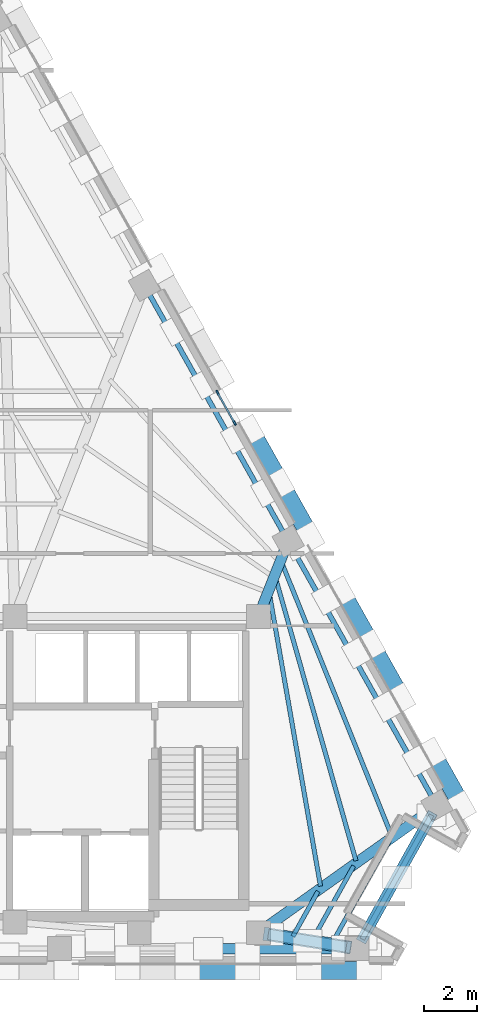
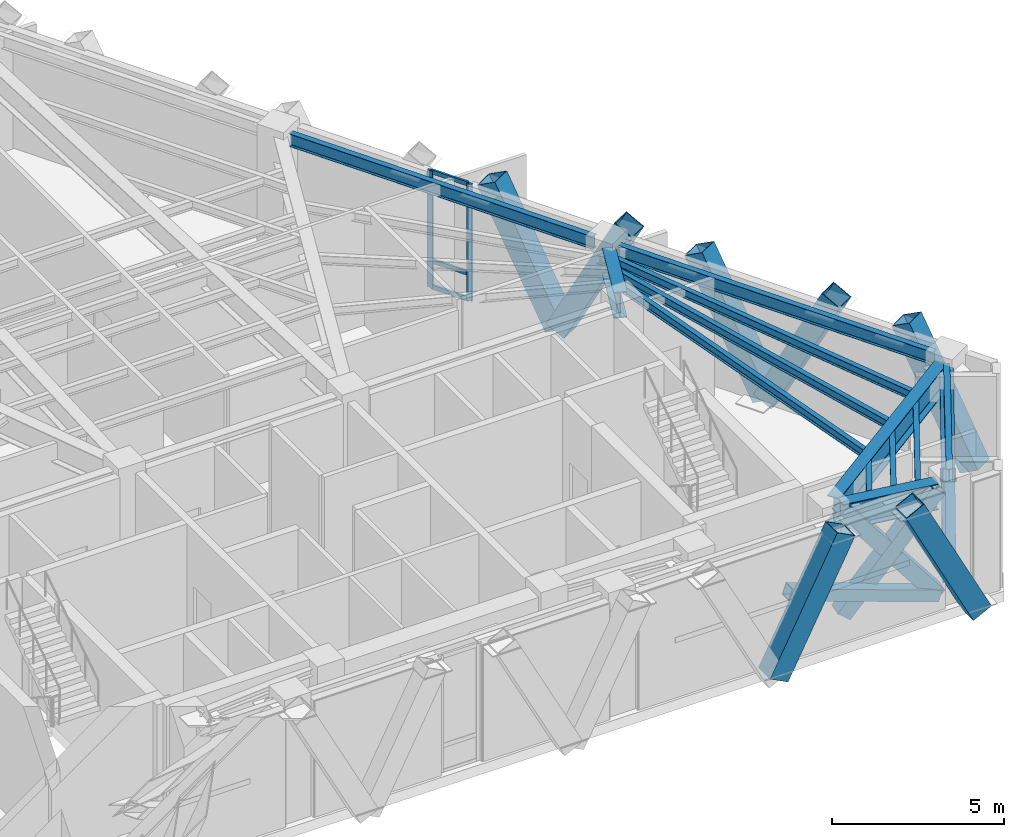
# One storey, part 4 of 11: 19 members, 12 beams, 1 element without a shape of its own.
"""IFC4 building model written with IfcOpenShell, lengths in metres."""

from ifc_helpers import new_model, si_unit, direction, frame, origin, origin_2d, place, context, subcontext, project, spatial, rectangle, hollow_rectangle, i_section, extrude, material, material_profile, profile_set, type_object, element, aggregate, save


model = new_model("IFC4")

# Units and contexts
model_context = context("Model", 3, precision=1e-05, world=origin(), true_north=direction((0.0, 1.0)))
body_context = subcontext(model_context, "Body", "Model", "MODEL_VIEW")
ifc_project = project(units=[si_unit("LENGTHUNIT", "METRE"), si_unit("AREAUNIT", "SQUARE_METRE"), si_unit("VOLUMEUNIT", "CUBIC_METRE"), si_unit("PLANEANGLEUNIT", "RADIAN"), si_unit("MASSUNIT", "GRAM", prefix="KILO")], contexts=[model_context])

# Site, building, storey
site_placement = place(None, origin())
site = spatial("IfcSite", under=ifc_project, at=site_placement, CompositionType="ELEMENT")
building_placement = place(site_placement, origin())
building = spatial("IfcBuilding", under=site, at=building_placement, Name="Quenlor Broadcast Tower", CompositionType="ELEMENT")
storey_placement = place(building_placement, frame((0.0, 0.0, 179.0)))
storey = spatial("IfcBuildingStorey", under=building, at=storey_placement, Name="L49", CompositionType="ELEMENT", Elevation=179.0)

# Members
ifc_material_1 = material(Name="Steel S355", Category="steel")
ifc_material_profile_1 = material_profile(ifc_material_1, hollow_rectangle(XDim=0.39990234375, YDim=0.39990234375, WallThickness=0.02197265625, at=origin_2d()))
ifc_profile_set_1 = profile_set([ifc_material_profile_1], Name="Steel S355 RHS400x400x22")
member_type_1 = type_object("IfcMemberType", Name="Belt Truss Diagonal Chord Steel S355 RHS400x22", PredefinedType="CHORD", material=ifc_profile_set_1)
member_1_placement = place(storey_placement, frame((11.235595703125, -17.35009765625, 2.000732421875), z_axis=(0.941276009802, 0.0, -0.33763808045), x_axis=(0.0, 1.0, 0.0)))
element("IfcMember", 1, at=member_1_placement, inside=storey, type_object=member_type_1, Name="L49 Belt Truss Split Chord 3B2", PredefinedType="CHORD", context=body_context, shape_type="SweptSolid", body=[
    extrude(hollow_rectangle(XDim=0.39990234375, YDim=0.39990234375, WallThickness=0.02197265625, at=origin_2d()), origin(), (0.0, 0.0, 1.0), 5.33349609375),
])
member_2_placement = place(storey_placement, frame((16.880615234375, -16.9833984375, 0.199951171875), z_axis=(0.400114582644, 0.716390289205, 0.571570882995), x_axis=(-0.873058236645, 0.48761595075, 0.0)))
element("IfcMember", 2, at=member_2_placement, inside=storey, type_object=member_type_1, Name="L49 Belt Truss Continuous Chord 4A", PredefinedType="CHORD", context=body_context, shape_type="SweptSolid", body=[
    extrude(hollow_rectangle(XDim=0.39990234375, YDim=0.39990234375, WallThickness=0.02197265625, at=origin_2d()), origin(), (0.0, 0.0, 1.0), 6.52587890625),
])
for number, where, z_axis, x_axis, name in (
    (3, (16.880615234375, -16.9833984375, 3.929931640625), (0.40010966598, 0.716399693832, -0.571562537144), (-0.873063512561, 0.487606504298, 0.0), "L49 Belt Truss Split Chord 4B1"),
    (4, (18.26220703125, -14.509765625, 1.956298828125), (0.40010966598, 0.716399693832, -0.571562537144), (-0.873063512561, 0.487606504298, 0.0), "L49 Belt Truss Split Chord 4B2"),
):
    element("IfcMember", number, at=place(storey_placement, frame(where, z_axis=z_axis, x_axis=x_axis)), inside=storey, type_object=member_type_1, Name=name, PredefinedType="CHORD", context=body_context, shape_type="SweptSolid", body=[
        extrude(hollow_rectangle(XDim=0.39990234375, YDim=0.39990234375, WallThickness=0.02197265625, at=origin_2d()), origin(), (0.0, 0.0, 1.0), 3.072998046875),
    ])

# Curtain wall, members
ifc_material_2 = material(Name="Architectural Terracotta and Low-E Glazing", Category="masonry")
curtain_wall_type = type_object("IfcCurtainWallType", Name="Unitised Terracotta Curtain Wall System Z4", PredefinedType="NOTDEFINED", material=ifc_material_2)
curtain_wall_placement = place(storey_placement, origin())
curtain_wall = element("IfcCurtainWall", 5, at=curtain_wall_placement, inside=storey, type_object=curtain_wall_type, Name="L49 Curtain Wall CW4 (L49-NE-G1)", PredefinedType="NOTDEFINED")
ifc_material_3 = material(Name="Aluminium 6063-T6", Category="aluminium")
ifc_material_profile_2 = material_profile(ifc_material_3, rectangle(XDim=0.068115234375, YDim=0.179931640625, at=origin_2d()))
ifc_profile_set_2 = profile_set([ifc_material_profile_2], Name="Aluminium 6063-T6 MULL68x180")
member_type_2 = type_object("IfcMemberType", Name="CW4 Aluminium Mullion MULL_CW4", PredefinedType="MULLION", material=ifc_profile_set_2)
member_3_placement = place(storey_placement, frame((11.405029296875, 3.66552734375, 0.0), z_axis=(0.0, 0.0, 1.0), x_axis=(0.871571692934, 0.490268073687, 0.0)))
member_3 = element("IfcMember", 6, at=member_3_placement, type_object=member_type_2, Name="CW4 mullion 1", PredefinedType="MULLION", context=body_context, shape_type="SweptSolid", body=[
    extrude(rectangle(XDim=0.068115234375, YDim=0.179931640625, at=origin_2d()), origin(), (0.0, 0.0, 1.0), 4.14990234375),
])
member_4_placement = place(storey_placement, frame((12.052734375, 2.513916015625, 0.0), z_axis=(0.0, 0.0, 1.0), x_axis=(0.871571692934, 0.490268073687, 0.0)))
member_4 = element("IfcMember", 7, at=member_4_placement, type_object=member_type_2, Name="CW4 mullion 2", PredefinedType="MULLION", context=body_context, shape_type="SweptSolid", body=[
    extrude(rectangle(XDim=0.068115234375, YDim=0.179931640625, at=origin_2d()), origin(), (0.0, 0.0, 1.0), 4.14990234375),
])
ifc_material_4 = material(Name="Aluminium 6063-T6", Category="aluminium")
ifc_material_profile_3 = material_profile(ifc_material_4, rectangle(XDim=0.068115234375, YDim=0.14990234375, at=origin_2d()))
ifc_profile_set_3 = profile_set([ifc_material_profile_3], Name="Aluminium 6063-T6 TRAN68x150")
member_type_3 = type_object("IfcMemberType", Name="CW4 Aluminium Transom TRAN_CW4", PredefinedType="USERDEFINED", material=ifc_profile_set_3)
member_5_placement = place(storey_placement, frame((11.421630859375, 3.635986328125, 0.033935546875), z_axis=(0.49023349781, -0.871591141319, 0.0), x_axis=(0.871591141319, 0.49023349781, 0.0)))
member_5 = element("IfcMember", 8, at=member_5_placement, type_object=member_type_3, Name="CW4 transom 1.1", ObjectType="TRANSOM", PredefinedType="USERDEFINED", context=body_context, shape_type="SweptSolid", body=[
    extrude(rectangle(XDim=0.068115234375, YDim=0.14990234375, at=origin_2d()), origin(), (0.0, 0.0, 1.0), 1.25341796875),
])
member_6_placement = place(storey_placement, frame((11.421630859375, 3.635986328125, 0.949951171875), z_axis=(0.49023349781, -0.871591141319, 0.0), x_axis=(0.871591141319, 0.49023349781, 0.0)))
member_6 = element("IfcMember", 9, at=member_6_placement, type_object=member_type_3, Name="CW4 transom 1.2", ObjectType="TRANSOM", PredefinedType="USERDEFINED", context=body_context, shape_type="SweptSolid", body=[
    extrude(rectangle(XDim=0.068115234375, YDim=0.14990234375, at=origin_2d()), origin(), (0.0, 0.0, 1.0), 1.25341796875),
])
member_7_placement = place(storey_placement, frame((11.421630859375, 3.635986328125, 4.115966796875), z_axis=(0.49023349781, -0.871591141319, 0.0), x_axis=(0.871591141319, 0.49023349781, 0.0)))
member_7 = element("IfcMember", 10, at=member_7_placement, type_object=member_type_3, Name="CW4 transom 1.3", ObjectType="TRANSOM", PredefinedType="USERDEFINED", context=body_context, shape_type="SweptSolid", body=[
    extrude(rectangle(XDim=0.068115234375, YDim=0.14990234375, at=origin_2d()), origin(), (0.0, 0.0, 1.0), 1.25341796875),
])
aggregate(curtain_wall, [member_3, member_4, member_5, member_6, member_7])

# Beams
ifc_material_5 = material(Name="Steel S355", Category="steel")
ifc_material_profile_4 = material_profile(ifc_material_5, i_section(OverallWidth=0.39990234375, OverallDepth=0.924072265625, WebThickness=0.01611328125, FlangeThickness=0.028076171875, FilletRadius=0.01611328125, at=origin_2d()))
ifc_profile_set_4 = profile_set([ifc_material_profile_4], Name="Steel S355 900WB282")
beam_type_1 = type_object("IfcBeamType", Name="Outrigger Level Collector Girder Steel S355 900WB282", PredefinedType="BEAM", material=ifc_profile_set_4)
beam_1_placement = place(storey_placement, frame((16.27099609375, -17.284912109375, 3.68798828125), z_axis=(-0.987268490875, 0.159062650942, 0.0), x_axis=(-0.159062650942, -0.987268490875, 0.0)))
element("IfcBeam", 11, at=beam_1_placement, inside=storey, type_object=beam_type_1, Name="L49 Primary Radial Beam S4", PredefinedType="BEAM", context=body_context, shape_type="SweptSolid", body=[
    extrude(i_section(OverallWidth=0.39990234375, OverallDepth=0.924072265625, WebThickness=0.01611328125, FlangeThickness=0.028076171875, FilletRadius=0.01611328125, at=origin_2d()), origin(), (0.0, 0.0, 1.0), 2.98388671875),
])
beam_2_placement = place(storey_placement, frame((19.362548828125, -12.1796875, 3.68798828125), z_axis=(-0.814329531787, -0.580402802938, 0.0), x_axis=(0.580402802938, -0.814329531787, 0.0)))
element("IfcBeam", 12, at=beam_2_placement, inside=storey, type_object=beam_type_1, Name="L49 Primary Radial Beam NE1", PredefinedType="BEAM", context=body_context, shape_type="SweptSolid", body=[
    extrude(i_section(OverallWidth=0.39990234375, OverallDepth=0.924072265625, WebThickness=0.01611328125, FlangeThickness=0.028076171875, FilletRadius=0.01611328125, at=origin_2d()), origin(), (0.0, 0.0, 1.0), 7.49462890625),
])
beam_3_placement = place(storey_placement, frame((13.926513671875, -2.33349609375, 3.68798828125), z_axis=(-0.368110359783, -0.92978210513, 0.0), x_axis=(0.92978210513, -0.368110359783, 0.0)))
element("IfcBeam", 13, at=beam_3_placement, inside=storey, type_object=beam_type_1, Name="L49 Primary Radial Beam NE2", PredefinedType="BEAM", context=body_context, shape_type="SweptSolid", body=[
    extrude(i_section(OverallWidth=0.39990234375, OverallDepth=0.924072265625, WebThickness=0.01611328125, FlangeThickness=0.028076171875, FilletRadius=0.01611328125, at=origin_2d()), origin(), (0.0, 0.0, 1.0), 2.27294921875),
])

# Members
ifc_material_6 = material(Name="Steel S355", Category="steel")
ifc_material_profile_5 = material_profile(ifc_material_6, hollow_rectangle(XDim=0.679931640625, YDim=0.679931640625, WallThickness=0.02490234375, at=origin_2d()))
ifc_profile_set_5 = profile_set([ifc_material_profile_5], Name="Steel S355 RHS680x680x25")
member_type_4 = type_object("IfcMemberType", Name="Perimeter Diagonal Lattice Brace Z3-Z4 Steel S355 RHS680x25", PredefinedType="BRACE", material=ifc_profile_set_5)
for number, where, z_axis, x_axis, name in (
    (14, (17.1123046875, -18.169921875, -0.1201171875), (-0.456255502185, 0.0, 0.889848816781), (0.0, -1.0, 0.0), "L49 Perimeter Diamond Lattice S-C1S"),
    (15, (10.289306640625, -18.169921875, -0.1201171875), (0.456255502185, 0.0, 0.889848816781), (0.0, 1.0, 0.0), "L49 Perimeter Diamond Lattice S-C1B"),
):
    element("IfcMember", number, at=place(storey_placement, frame(where, z_axis=z_axis, x_axis=x_axis)), inside=storey, type_object=member_type_4, Name=name, PredefinedType="BRACE", context=body_context, shape_type="SweptSolid", body=[
        extrude(hollow_rectangle(XDim=0.679931640625, YDim=0.679931640625, WallThickness=0.02490234375, at=origin_2d()), origin(), (0.0, 0.0, 1.0), 4.94482421875),
    ])
for number, where, z_axis, x_axis, name in (
    (16, (13.781005859375, 0.24755859375, -0.1201171875), (-0.227397757303, 0.404213523195, 0.885946774722), (-0.871550060774, -0.49030652817, 0.0), "L49 Perimeter Diamond Lattice NE-C3B"),
    (17, (13.794677734375, 0.22314453125, -0.1201171875), (0.227346624293, -0.404259165014, 0.885939072355), (0.871620820774, 0.490180726664, 0.0), "L49 Perimeter Diamond Lattice NE-C4S"),
    (18, (17.2099609375, -5.8486328125, -0.1201171875), (-0.227397757303, 0.404213523195, 0.885946774722), (-0.871550060774, -0.49030652817, 0.0), "L49 Perimeter Diamond Lattice NE-C4B"),
):
    element("IfcMember", number, at=place(storey_placement, frame(where, z_axis=z_axis, x_axis=x_axis)), inside=storey, type_object=member_type_4, Name=name, PredefinedType="BRACE", context=body_context, shape_type="SweptSolid", body=[
        extrude(hollow_rectangle(XDim=0.679931640625, YDim=0.679931640625, WallThickness=0.02490234375, at=origin_2d()), origin(), (0.0, 0.0, 1.0), 4.966552734375),
    ])
member_8_placement = place(storey_placement, frame((17.2236328125, -5.873046875, -0.1201171875), z_axis=(0.227393238836, -0.40425464682, 0.885929170677), x_axis=(0.871575537125, 0.490261239633, 0.0)))
element("IfcMember", 19, at=member_8_placement, inside=storey, type_object=member_type_4, Name="L49 Perimeter Diamond Lattice NE-C5S", PredefinedType="BRACE", context=body_context, shape_type="SweptSolid", body=[
    extrude(hollow_rectangle(XDim=0.679931640625, YDim=0.679931640625, WallThickness=0.02490234375, at=origin_2d()), origin(), (0.0, 0.0, 1.0), 4.966796875),
])
member_9_placement = place(storey_placement, frame((20.63916015625, -11.94482421875, -0.1201171875), z_axis=(-0.227397757303, 0.404213523195, 0.885946774722), x_axis=(-0.871550060774, -0.49030652817, 0.0)))
element("IfcMember", 20, at=member_9_placement, inside=storey, type_object=member_type_4, Name="L49 Perimeter Diamond Lattice NE-C5B", PredefinedType="BRACE", context=body_context, shape_type="SweptSolid", body=[
    extrude(hollow_rectangle(XDim=0.679931640625, YDim=0.679931640625, WallThickness=0.02490234375, at=origin_2d()), origin(), (0.0, 0.0, 1.0), 4.966552734375),
])

# Beams
ifc_material_7 = material(Name="Steel S355", Category="steel")
ifc_material_profile_6 = material_profile(ifc_material_7, i_section(OverallWidth=0.18994140625, OverallDepth=0.453857421875, WebThickness=0.008544921875, FlangeThickness=0.0126953125, FilletRadius=0.011474609375, at=origin_2d()))
ifc_profile_set_6 = profile_set([ifc_material_profile_6], Name="Steel S355 460UB67.1")
beam_type_2 = type_object("IfcBeamType", Name="Perimeter Spandrel Beam Z4 Steel S355 460UB67.1", PredefinedType="SPANDREL", material=ifc_profile_set_6)
beam_4_placement = place(storey_placement, frame((16.875732421875, -16.991943359375, 3.923095703125), z_axis=(0.487647250206, 0.8730407547, 0.0), x_axis=(-0.8730407547, 0.487647250206, 0.0)))
element("IfcBeam", 21, at=beam_4_placement, inside=storey, type_object=beam_type_2, Name="L49 Spandrel Beam S4-NE1", PredefinedType="SPANDREL", context=body_context, shape_type="SweptSolid", body=[
    extrude(i_section(OverallWidth=0.18994140625, OverallDepth=0.453857421875, WebThickness=0.008544921875, FlangeThickness=0.0126953125, FilletRadius=0.011474609375, at=origin_2d()), origin(), (0.0, 0.0, 1.0), 5.37451171875),
])
beam_5_placement = place(storey_placement, frame((19.49560546875, -11.58447265625, 3.923095703125), z_axis=(-0.490272131974, 0.871569410093, 0.0), x_axis=(-0.871569410093, -0.490272131974, 0.0)))
element("IfcBeam", 22, at=beam_5_placement, inside=storey, type_object=beam_type_2, Name="L49 Spandrel Beam NE1-NE2", PredefinedType="SPANDREL", context=body_context, shape_type="SweptSolid", body=[
    extrude(i_section(OverallWidth=0.18994140625, OverallDepth=0.453857421875, WebThickness=0.008544921875, FlangeThickness=0.0126953125, FilletRadius=0.011474609375, at=origin_2d()), origin(), (0.0, 0.0, 1.0), 10.6416015625),
])
beam_6_placement = place(storey_placement, frame((13.87646484375, -1.594970703125, 3.923095703125), z_axis=(-0.490263496537, 0.871574267612, 0.0), x_axis=(-0.871574267612, -0.490263496537, 0.0)))
element("IfcBeam", 23, at=beam_6_placement, inside=storey, type_object=beam_type_2, Name="L49 Spandrel Beam NE2-NE3", PredefinedType="SPANDREL", context=body_context, shape_type="SweptSolid", body=[
    extrude(i_section(OverallWidth=0.18994140625, OverallDepth=0.453857421875, WebThickness=0.008544921875, FlangeThickness=0.0126953125, FilletRadius=0.011474609375, at=origin_2d()), origin(), (0.0, 0.0, 1.0), 10.271728515625),
])
ifc_material_8 = material(Name="Steel S355", Category="steel")
ifc_material_profile_7 = material_profile(ifc_material_8, i_section(OverallWidth=0.166015625, OverallDepth=0.30712890625, WebThickness=0.006591796875, FlangeThickness=0.01171875, FilletRadius=0.011474609375, at=origin_2d()))
ifc_profile_set_7 = profile_set([ifc_material_profile_7], Name="Steel S355 310UB46.2")
beam_type_3 = type_object("IfcBeamType", Name="Tower Composite Joist Z4-Z5 Steel S355 310UB46.2", PredefinedType="JOIST", material=ifc_profile_set_7)
beam_7_placement = place(storey_placement, frame((15.297607421875, -14.98828125, 3.996337890625), z_axis=(-0.172003691938, 0.985096304916, 0.0), x_axis=(-0.985096304916, -0.172003691938, 0.0)))
element("IfcBeam", 24, at=beam_7_placement, inside=storey, type_object=beam_type_3, Name="L49 Secondary Composite Joist 16", PredefinedType="JOIST", context=body_context, shape_type="SweptSolid", body=[
    extrude(i_section(OverallWidth=0.166015625, OverallDepth=0.30712890625, WebThickness=0.006591796875, FlangeThickness=0.01171875, FilletRadius=0.011474609375, at=origin_2d()), origin(), (0.0, 0.0, 1.0), 11.274169921875),
])
beam_8_placement = place(storey_placement, frame((16.638671875, -14.028564453125, 3.996337890625), z_axis=(-0.273447576454, 0.961886907558, 0.0), x_axis=(-0.961886907558, -0.273447576454, 0.0)))
element("IfcBeam", 25, at=beam_8_placement, inside=storey, type_object=beam_type_3, Name="L49 Secondary Composite Joist 17", PredefinedType="JOIST", context=body_context, shape_type="SweptSolid", body=[
    extrude(i_section(OverallWidth=0.166015625, OverallDepth=0.30712890625, WebThickness=0.006591796875, FlangeThickness=0.01171875, FilletRadius=0.011474609375, at=origin_2d()), origin(), (0.0, 0.0, 1.0), 11.142333984375),
])
beam_9_placement = place(storey_placement, frame((17.97998046875, -13.069580078125, 3.996337890625), z_axis=(-0.373094895103, 0.927793187757, 0.0), x_axis=(-0.927793187757, -0.373094895103, 0.0)))
element("IfcBeam", 26, at=beam_9_placement, inside=storey, type_object=beam_type_3, Name="L49 Secondary Composite Joist 18", PredefinedType="JOIST", context=body_context, shape_type="SweptSolid", body=[
    extrude(i_section(OverallWidth=0.166015625, OverallDepth=0.30712890625, WebThickness=0.006591796875, FlangeThickness=0.01171875, FilletRadius=0.011474609375, at=origin_2d()), origin(), (0.0, 0.0, 1.0), 11.13525390625),
])
beam_10_placement = place(storey_placement, frame((14.255859375, -16.88427734375, 3.996337890625), z_axis=(0.487590799665, 0.873072283423, 0.0), x_axis=(-0.873072283423, 0.487590799665, 0.0)))
element("IfcBeam", 27, at=beam_10_placement, inside=storey, type_object=beam_type_3, Name="L49 Secondary Composite Joist 22", PredefinedType="JOIST", context=body_context, shape_type="SweptSolid", body=[
    extrude(i_section(OverallWidth=0.166015625, OverallDepth=0.30712890625, WebThickness=0.006591796875, FlangeThickness=0.01171875, FilletRadius=0.011474609375, at=origin_2d()), origin(), (0.0, 0.0, 1.0), 1.9462890625),
])
beam_11_placement = place(storey_placement, frame((15.0009765625, -17.004150390625, 3.996337890625), z_axis=(0.487646119388, 0.87304138633, 0.0), x_axis=(-0.87304138633, 0.487646119388, 0.0)))
element("IfcBeam", 28, at=beam_11_placement, inside=storey, type_object=beam_type_3, Name="L49 Secondary Composite Joist 23", PredefinedType="JOIST", context=body_context, shape_type="SweptSolid", body=[
    extrude(i_section(OverallWidth=0.166015625, OverallDepth=0.30712890625, WebThickness=0.006591796875, FlangeThickness=0.01171875, FilletRadius=0.011474609375, at=origin_2d()), origin(), (0.0, 0.0, 1.0), 3.18505859375),
])
beam_12_placement = place(storey_placement, frame((15.74609375, -17.124267578125, 3.996337890625), z_axis=(0.487604899573, 0.873064408799, 0.0), x_axis=(-0.873064408799, 0.487604899573, 0.0)))
element("IfcBeam", 29, at=beam_12_placement, inside=storey, type_object=beam_type_3, Name="L49 Secondary Composite Joist 24", PredefinedType="JOIST", context=body_context, shape_type="SweptSolid", body=[
    extrude(i_section(OverallWidth=0.166015625, OverallDepth=0.30712890625, WebThickness=0.006591796875, FlangeThickness=0.01171875, FilletRadius=0.011474609375, at=origin_2d()), origin(), (0.0, 0.0, 1.0), 4.424072265625),
])

# Members
ifc_material_9 = material(Name="Steel S355", Category="steel")
ifc_material_profile_8 = material_profile(ifc_material_9, hollow_rectangle(XDim=0.5, YDim=0.5, WallThickness=0.028076171875, at=origin_2d()))
ifc_profile_set_8 = profile_set([ifc_material_profile_8], Name="Steel S355 RHS500x500x28")
member_type_5 = type_object("IfcMemberType", Name="Upper Outrigger Truss Strut Steel S355 RHS500x28", PredefinedType="STRUT", material=ifc_profile_set_8)
member_10_placement = place(storey_placement, frame((13.344970703125, -16.813720703125, 0.199951171875), z_axis=(0.612928310337, -0.098674017646, 0.783953011748), x_axis=(0.158941386656, 0.987288020594, 0.0)))
element("IfcMember", 30, at=member_10_placement, inside=storey, type_object=member_type_5, Name="L49 Outrigger Continuous Strut 2A", PredefinedType="STRUT", context=body_context, shape_type="SweptSolid", body=[
    extrude(hollow_rectangle(XDim=0.5, YDim=0.5, WallThickness=0.028076171875, at=origin_2d()), origin(), (0.0, 0.0, 1.0), 4.7578125),
])
member_11_placement = place(storey_placement, frame((13.344970703125, -16.813720703125, 3.929931640625), z_axis=(0.612951645808, -0.098617614191, -0.783941863962), x_axis=(0.158846931741, 0.987303222053, 0.0)))
element("IfcMember", 31, at=member_11_placement, inside=storey, type_object=member_type_5, Name="L49 Outrigger Split Strut 2B1", PredefinedType="STRUT", context=body_context, shape_type="SweptSolid", body=[
    extrude(hollow_rectangle(XDim=0.5, YDim=0.5, WallThickness=0.028076171875, at=origin_2d()), origin(), (0.0, 0.0, 1.0), 2.14892578125),
])
member_12_placement = place(storey_placement, frame((14.944091796875, -17.071044921875, 1.884765625), z_axis=(0.612890185385, -0.098721329212, -0.783976861787), x_axis=(0.159025309733, 0.987274506338, 0.0)))
element("IfcMember", 32, at=member_12_placement, inside=storey, type_object=member_type_5, Name="L49 Outrigger Split Strut 2B2", PredefinedType="STRUT", context=body_context, shape_type="SweptSolid", body=[
    extrude(hollow_rectangle(XDim=0.5, YDim=0.5, WallThickness=0.028076171875, at=origin_2d()), origin(), (0.0, 0.0, 1.0), 2.149169921875),
])

save(model, "model.ifc")
